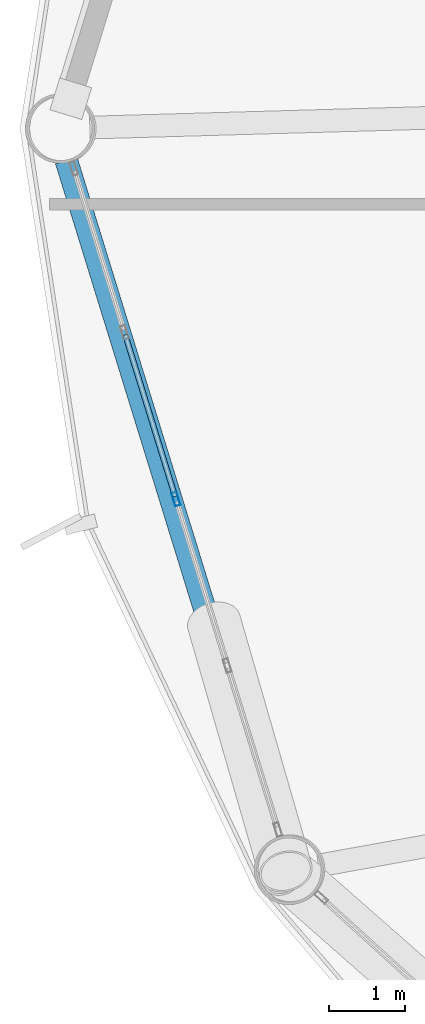
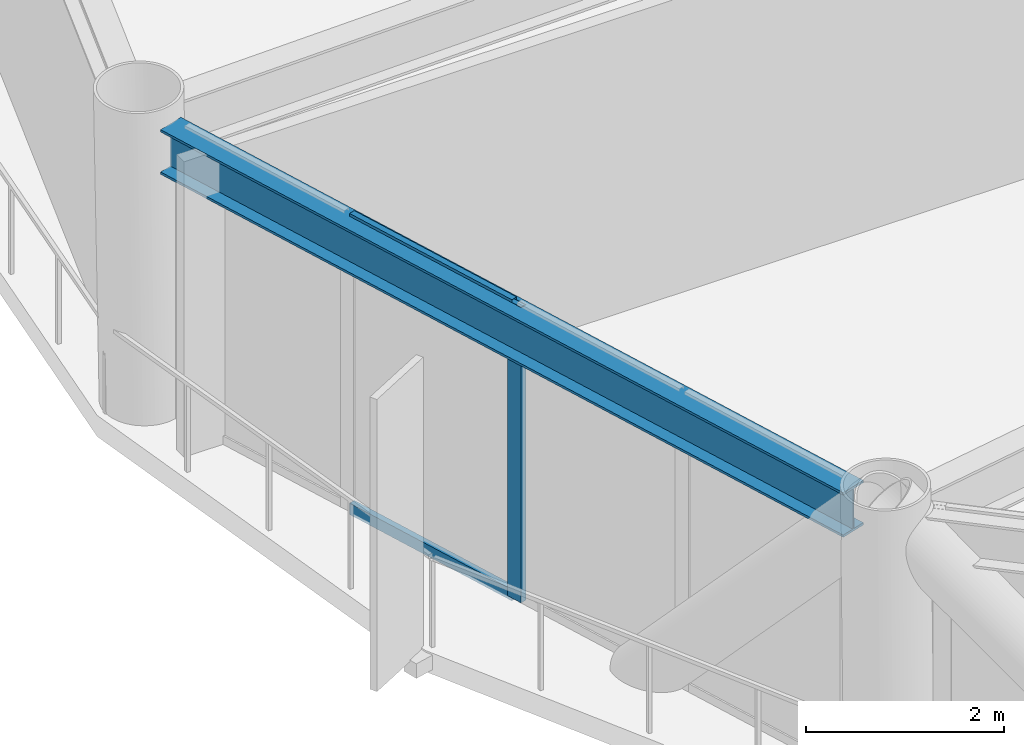
# One storey, part 3 of 25: 3 members, 1 beam, 1 element without a shape of its own.
"""IFC4 building model written with IfcOpenShell, lengths in metres."""

import ifcopenshell
import ifcopenshell.guid

model = None  # the IFC model being written
_history = None  # IfcOwnerHistory: only IFC2X3 demands one
_inside = {}  # id of a spatial element -> (the spatial element, [elements in it])
_under = {}  # id of a project, library or spatial element -> (it, [spatial elements below it])
_declared = {}  # id of a project -> (the project, [libraries it declares])
_typed = {}  # id of a type object -> (the type object, [elements of that type])
_made_of = {}  # id of a material, layer set ... -> (it, [elements and type objects made of it])


def new_model(schema):
    """Start an empty IFC model of exactly this schema.

    Asked for "IFC4X3", IfcOpenShell would pick the latest addendum, in which some entities
    have other attributes; the version numbers below select the first issue.
    IFC2X3 requires an IfcOwnerHistory on every rooted entity: one is made here for all.
    """
    global model, _history
    if schema == "IFC4X3":
        model = ifcopenshell.file(schema_version=(4, 3, 0, 0))
    else:
        model = ifcopenshell.file(schema=schema)
    _inside.clear()
    _under.clear()
    _declared.clear()
    _typed.clear()
    _made_of.clear()
    _history = None
    if model.schema == "IFC2X3":
        org = make("IfcOrganization", Name="unknown")
        user = make(
            "IfcPersonAndOrganization",
            ThePerson=make("IfcPerson", FamilyName="unknown"),
            TheOrganization=org,
        )
        app = make(
            "IfcApplication",
            ApplicationDeveloper=org,
            Version="unknown",
            ApplicationFullName="unknown",
            ApplicationIdentifier="unknown",
        )
        _history = make(
            "IfcOwnerHistory",
            OwningUser=user,
            OwningApplication=app,
            ChangeAction="ADDED",
            CreationDate=0,
        )
    return model


def make(cls, **values):
    """One entity of the class cls with the attributes given. An attribute that is None is left unset."""
    return model.create_entity(
        cls, **{name: value for name, value in values.items() if value is not None}
    )


def rooted(cls, **values):
    """An entity with a GlobalId (a new one), such as an element, a storey or a relation."""
    return make(cls, GlobalId=ifcopenshell.guid.new(), OwnerHistory=_history, **values)


def si_unit(unit_type, name, prefix=None):
    """IfcSIUnit, for example si_unit("LENGTHUNIT", "METRE", prefix="MILLI")."""
    return make("IfcSIUnit", UnitType=unit_type, Prefix=prefix, Name=name)


def assignment(units):
    """IfcUnitAssignment: the units of a project."""
    return None if units is None else make("IfcUnitAssignment", Units=units)


def point(xyz):
    """IfcCartesianPoint."""
    return None if xyz is None else make("IfcCartesianPoint", Coordinates=xyz)


def direction(xyz):
    """IfcDirection."""
    return None if xyz is None else make("IfcDirection", DirectionRatios=xyz)


def frame(location, z_axis=None, x_axis=None):
    """IfcAxis2Placement3D, a coordinate frame: its origin and axes. An axis left out is left unset."""
    return make(
        "IfcAxis2Placement3D",
        Location=point(location),
        Axis=direction(z_axis),
        RefDirection=direction(x_axis),
    )


def frame_2d(location, x_axis=None):
    """IfcAxis2Placement2D, a coordinate frame in the plane: its origin and x axis."""
    return make(
        "IfcAxis2Placement2D", Location=point(location), RefDirection=direction(x_axis)
    )


def origin():
    """The frame at (0, 0, 0) with its axes left unset."""
    return frame((0.0, 0.0, 0.0))


def origin_2d():
    """The frame at (0, 0) in the plane with its x axis left unset."""
    return frame_2d((0.0, 0.0))


def place(relative_to, where):
    """IfcLocalPlacement: puts the frame where relative to a parent placement (None: the world)."""
    return make(
        "IfcLocalPlacement", PlacementRelTo=relative_to, RelativePlacement=where
    )


def context(
    kind, dimensions, precision=None, world=None, true_north=None, identifier=None
):
    """IfcGeometricRepresentationContext, for example the 3D "Model" context."""
    return make(
        "IfcGeometricRepresentationContext",
        ContextIdentifier=identifier,
        ContextType=kind,
        CoordinateSpaceDimension=dimensions,
        Precision=precision,
        WorldCoordinateSystem=world,
        TrueNorth=true_north,
    )


def subcontext(parent, identifier, kind, view, scale=None):
    """IfcGeometricRepresentationSubContext, for example "Body" below "Model"."""
    return make(
        "IfcGeometricRepresentationSubContext",
        ContextIdentifier=identifier,
        ContextType=kind,
        ParentContext=parent,
        TargetScale=scale,
        TargetView=view,
    )


def project(units=None, contexts=None):
    """IfcProject with its units and contexts."""
    return rooted(
        "IfcProject",
        Name="project",
        RepresentationContexts=contexts,
        UnitsInContext=assignment(units),
    )


def spatial(cls, under=None, at=None, **own):
    """A site, building, storey or space (cls), placed at a placement, below another one or the project."""
    s = rooted(cls, ObjectPlacement=at, **own)
    if under is not None:
        _under.setdefault(under.id(), (under, []))[1].append(s)
    return s


def profile(cls, at=None, kind="AREA", **sizes):
    """A parametric profile (cls). Its sizes go by their IFC names, for example OverallWidth=200.0."""
    return make(cls, ProfileType=kind, Position=at, **sizes)


def hollow_rectangle(**sizes):
    """IfcRectangleHollowProfileDef."""
    return profile("IfcRectangleHollowProfileDef", **sizes)


def i_section(**sizes):
    """IfcIShapeProfileDef."""
    return profile("IfcIShapeProfileDef", **sizes)


def extrude(swept, where, along, depth):
    """IfcExtrudedAreaSolid: the profile swept, set in the frame where, extruded along a direction by depth."""
    return make(
        "IfcExtrudedAreaSolid",
        SweptArea=swept,
        Position=where,
        ExtrudedDirection=direction(along),
        Depth=depth,
    )


def shape(context_of_items, identifier, shape_type, items):
    """IfcShapeRepresentation: the items that make up one representation, for example the "Body"."""
    return make(
        "IfcShapeRepresentation",
        ContextOfItems=context_of_items,
        RepresentationIdentifier=identifier,
        RepresentationType=shape_type,
        Items=items,
    )


def material(Name=None, Category=None):
    """IfcMaterial."""
    return make("IfcMaterial", Name=Name, Category=Category)


def layer(
    of_material, thickness, ventilated=None, Name=None, Category=None, Priority=None
):
    """IfcMaterialLayer: one layer of a wall or slab, of a material (None: an air gap)."""
    return make(
        "IfcMaterialLayer",
        Material=of_material,
        LayerThickness=thickness,
        IsVentilated=ventilated,
        Name=Name,
        Category=Category,
        Priority=Priority,
    )


def layer_set(layers, Name=None):
    """IfcMaterialLayerSet."""
    return make("IfcMaterialLayerSet", MaterialLayers=layers, LayerSetName=Name)


def material_profile(
    of_material, cross_section, Name=None, Category=None, Priority=None
):
    """IfcMaterialProfile: a cross section and its material."""
    return make(
        "IfcMaterialProfile",
        Name=Name,
        Material=of_material,
        Profile=cross_section,
        Priority=Priority,
        Category=Category,
    )


def profile_set(profiles, Name=None, composite=None):
    """IfcMaterialProfileSet."""
    return make(
        "IfcMaterialProfileSet",
        Name=Name,
        MaterialProfiles=profiles,
        CompositeProfile=composite,
    )


def made_of(thing, what):
    """Note that an element or type object is made of a material, layer set ...; save() writes the relation."""
    if what is not None:
        _made_of.setdefault(what.id(), (what, []))[1].append(thing)
    return thing


def type_object(cls, material=None, **own):
    """A type object (cls), such as IfcWallType, which elements share."""
    return made_of(rooted(cls, **own), material)


def element(
    cls,
    number,
    at=None,
    inside=None,
    cuts=None,
    type_object=None,
    material=None,
    context=None,
    identifier="Body",
    shape_type=None,
    held_by="IfcProductDefinitionShape",
    body=None,
    shapes=None,
    **own,
):
    """One element of the class cls, such as IfcWall. Its Tag is "e" and its number.

    at: its placement. inside: the storey or other place that contains it. cuts: it is an
    opening in that element (IfcRelVoidsElement). A single representation is given by context,
    identifier, shape_type and body (its items); several are given by shapes. held_by: the class
    of the entity that holds the representations. save() writes the other relations.
    """
    e = rooted(cls, Tag="e%d" % number, ObjectPlacement=at, **own)
    if body is not None:
        shapes = [shape(context, identifier, shape_type, body)]
    if shapes is not None:
        e.Representation = make(held_by, Representations=shapes)
    if inside is not None:
        _inside.setdefault(inside.id(), (inside, []))[1].append(e)
    if cuts is not None:
        rooted(
            "IfcRelVoidsElement", RelatingBuildingElement=cuts, RelatedOpeningElement=e
        )
    if type_object is not None:
        _typed.setdefault(type_object.id(), (type_object, []))[1].append(e)
    return made_of(e, material)


def aggregate(whole, parts):
    """IfcRelAggregates: a whole, such as a stair, and the parts it consists of."""
    return rooted("IfcRelAggregates", RelatingObject=whole, RelatedObjects=parts)


def save(model, path):
    """Write the relations noted so far, then the file.

    IfcRelAggregates (storeys below a building ...), IfcRelContainedInSpatialStructure (elements
    in a storey), IfcRelDefinesByType, IfcRelAssociatesMaterial and IfcRelDeclares: one each for
    every whole, place, type object, material and project.
    """
    for whole, parts in _under.values():
        aggregate(whole, parts)
    for where, things in _inside.values():
        rooted(
            "IfcRelContainedInSpatialStructure",
            RelatedElements=things,
            RelatingStructure=where,
        )
    for kind, things in _typed.values():
        rooted("IfcRelDefinesByType", RelatedObjects=things, RelatingType=kind)
    for what, things in _made_of.values():
        rooted("IfcRelAssociatesMaterial", RelatedObjects=things, RelatingMaterial=what)
    for by, libraries in _declared.values():
        rooted("IfcRelDeclares", RelatingContext=by, RelatedDefinitions=libraries)
    model.write(path)


model = new_model("IFC4")

# Units and contexts
model_context = context("Model", 3, precision=1e-05, world=origin(), true_north=direction((0.0, 1.0)))
body_context = subcontext(model_context, "Body", "Model", "MODEL_VIEW")
ifc_project = project(units=[si_unit("LENGTHUNIT", "METRE"), si_unit("AREAUNIT", "SQUARE_METRE"), si_unit("VOLUMEUNIT", "CUBIC_METRE"), si_unit("PLANEANGLEUNIT", "RADIAN"), si_unit("MASSUNIT", "GRAM", prefix="KILO")], contexts=[model_context])

# Site, building, storey
site_placement = place(None, origin())
site = spatial("IfcSite", under=ifc_project, at=site_placement, CompositionType="ELEMENT")
building_placement = place(site_placement, origin())
building = spatial("IfcBuilding", under=site, at=building_placement, Name="Varnakorn Sky Granary", CompositionType="ELEMENT")
storey_placement = place(building_placement, frame((0.0, 0.0, 70.5)))
storey = spatial("IfcBuildingStorey", under=building, at=storey_placement, Name="L17", CompositionType="ELEMENT", Elevation=70.5)

# Beam
ifc_material_1 = material(Name="Steel S355JR", Category="steel")
ifc_material_profile_1 = material_profile(ifc_material_1, i_section(OverallWidth=0.300048828125, OverallDepth=0.550048828125, WebThickness=0.014892578125, FlangeThickness=0.029052734375, at=origin_2d()), Name="HE 550 B")
ifc_profile_set_1 = profile_set([ifc_material_profile_1], Name="Steel S355JR")
beam_type = type_object("IfcBeamType", Name="BM-SPD-Z1", PredefinedType="SPANDREL", material=ifc_profile_set_1)
beam_placement = place(storey_placement, frame((-23.131591796875, -0.42236328125, 3.364990234375), z_axis=(0.29497853302, -0.95550388019, 0.0), x_axis=(0.95550388019, 0.29497853302, 0.0)))
element("IfcBeam", 1, at=beam_placement, inside=storey, type_object=beam_type, Name="Perimeter Spandrel Ring Beam RB07 L17", PredefinedType="SPANDREL", context=body_context, shape_type="SweptSolid", body=[
    extrude(i_section(OverallWidth=0.300048828125, OverallDepth=0.550048828125, WebThickness=0.014892578125, FlangeThickness=0.029052734375, at=origin_2d()), origin(), (0.0, 0.0, 1.0), 9.396484375),
])

# Curtain wall, members
ifc_material_2 = material(Name="Anodised Bronze Aluminium Alloy 6063-T6", Category="aluminium")
ifc_layer = layer(ifc_material_2, 0.18994140625, Name="Anodised Bronze Aluminium Alloy 6063-T6")
ifc_layer_set = layer_set([ifc_layer], Name="Anodised Bronze Aluminium Alloy 6063-T6")
curtain_wall_type = type_object("IfcCurtainWallType", Name="CW-FRM-1", PredefinedType="USERDEFINED", material=ifc_layer_set)
curtain_wall_placement = place(storey_placement, origin())
curtain_wall = element("IfcCurtainWall", 2, at=curtain_wall_placement, inside=storey, type_object=curtain_wall_type, Name="Unitised Curtain Wall CW3 CW-L17-B07", ObjectType="CURTAIN WALL", PredefinedType="USERDEFINED")
ifc_material_profile_2 = material_profile(ifc_material_2, hollow_rectangle(XDim=0.070068359375, YDim=0.18505859375, WallThickness=0.00390625, at=origin_2d()), Name="ALU MULL 70x185")
ifc_profile_set_2 = profile_set([ifc_material_profile_2], Name="Anodised Bronze Aluminium Alloy 6063-T6")
member_type_1 = type_object("IfcMemberType", Name="CW-FRM-1-MULL", PredefinedType="MULLION", material=ifc_profile_set_2)
member_1_placement = place(storey_placement, frame((-21.682373046875, -4.8984375, 0.0), z_axis=(0.0, 0.0, 1.0), x_axis=(-0.955536644145, -0.29487238205, 0.0)))
member_1 = element("IfcMember", 3, at=member_1_placement, type_object=member_type_1, Name="CW3 mullion 3", PredefinedType="MULLION", context=body_context, shape_type="SweptSolid", body=[
    extrude(hollow_rectangle(XDim=0.070068359375, YDim=0.18505859375, WallThickness=0.00390625, at=origin_2d()), origin(), (0.0, 0.0, 1.0), 3.639892578125),
])
ifc_material_profile_3 = material_profile(ifc_material_2, hollow_rectangle(XDim=0.070068359375, YDim=0.139892578125, WallThickness=0.00341796875, at=origin_2d()), Name="ALU TRAN 70x140")
ifc_profile_set_3 = profile_set([ifc_material_profile_3], Name="Anodised Bronze Aluminium Alloy 6063-T6")
member_type_2 = type_object("IfcMemberType", Name="CW-FRM-1-TRAN", PredefinedType="USERDEFINED", material=ifc_profile_set_3)
member_2_placement = place(storey_placement, frame((-21.692626953125, -4.864990234375, 0.034912109375), z_axis=(-0.294876510827, 0.955535370022, 0.0), x_axis=(-0.955535370022, -0.294876510827, 0.0)))
member_2 = element("IfcMember", 4, at=member_2_placement, type_object=member_type_2, Name="CW3 transom 3.1", ObjectType="TRANSOM", PredefinedType="USERDEFINED", context=body_context, shape_type="SweptSolid", body=[
    extrude(hollow_rectangle(XDim=0.070068359375, YDim=0.139892578125, WallThickness=0.00341796875, at=origin_2d()), origin(), (0.0, 0.0, 1.0), 2.234619140625),
])
member_3_placement = place(storey_placement, frame((-21.692626953125, -4.864990234375, 3.60498046875), z_axis=(-0.294876510827, 0.955535370022, 0.0), x_axis=(-0.955535370022, -0.294876510827, 0.0)))
member_3 = element("IfcMember", 5, at=member_3_placement, type_object=member_type_2, Name="CW3 transom 3.2", ObjectType="TRANSOM", PredefinedType="USERDEFINED", context=body_context, shape_type="SweptSolid", body=[
    extrude(hollow_rectangle(XDim=0.070068359375, YDim=0.139892578125, WallThickness=0.00341796875, at=origin_2d()), origin(), (0.0, 0.0, 1.0), 2.234619140625),
])
aggregate(curtain_wall, [member_1, member_2, member_3])

save(model, "model.ifc")
